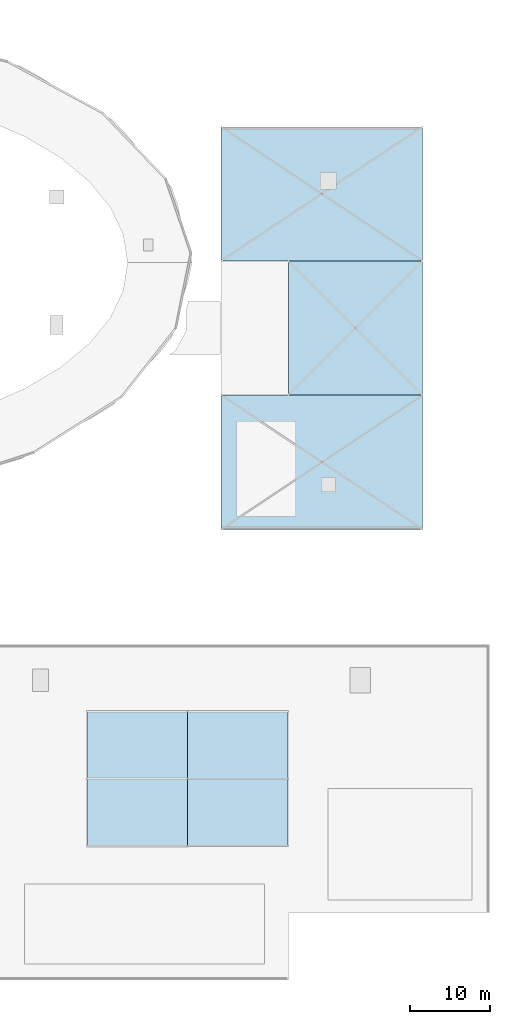
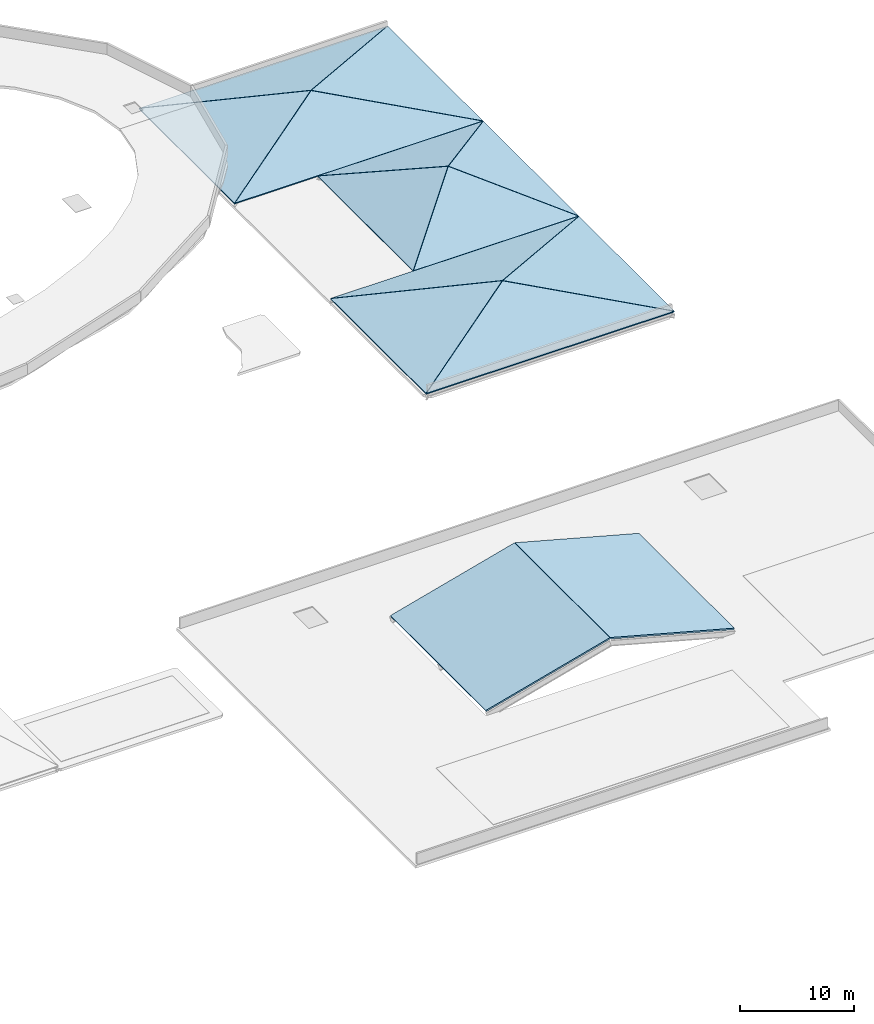
# One storey, part 10 of 11: 4 roofs.
"""IFC4 building model written with IfcOpenShell, lengths in metres."""

from ifc_helpers import new_model, si_unit, direction, frame, origin, place, context, subcontext, project, spatial, polyline, outline, extrude, material, layer, layer_set, type_object, element, save


model = new_model("IFC4")

# Units and contexts
model_context = context("Model", 3, precision=1e-05, world=origin(), true_north=direction((0.0, 1.0)))
body_context = subcontext(model_context, "Body", "Model", "MODEL_VIEW")
ifc_project = project(units=[si_unit("LENGTHUNIT", "METRE"), si_unit("AREAUNIT", "SQUARE_METRE"), si_unit("VOLUMEUNIT", "CUBIC_METRE"), si_unit("PLANEANGLEUNIT", "RADIAN"), si_unit("MASSUNIT", "GRAM", prefix="KILO"), si_unit("THERMODYNAMICTEMPERATUREUNIT", "KELVIN"), si_unit("POWERUNIT", "WATT")], contexts=[model_context])

# Site, building, storey
site_placement = place(None, origin())
site = spatial("IfcSite", under=ifc_project, at=site_placement, CompositionType="ELEMENT")
building_placement = place(site_placement, origin())
building = spatial("IfcBuilding", under=site, at=building_placement, Name="Darbajah Civic Hall", CompositionType="ELEMENT")
storey_placement = place(building_placement, frame((0.0, 0.0, 30.60009765625)))
storey = spatial("IfcBuildingStorey", under=building, at=storey_placement, Name="ROOF", CompositionType="ELEMENT", Elevation=30.60009765625)

# Roofs
ifc_material = material(Name="Steel S355JR", Category="steel")
ifc_layer_1 = layer(ifc_material, 0.14990234375, Name="Steel S355JR")
ifc_layer_set_1 = layer_set([ifc_layer_1], Name="Steel S355JR")
roof_type_1 = type_object("IfcRoofType", Name="Hip Roof 150mm", PredefinedType="HIP_ROOF", material=ifc_layer_set_1)
roof_1_placement = place(storey_placement, origin())
element("IfcRoof", 1, at=roof_1_placement, inside=storey, type_object=roof_type_1, Name="Chhatri Lantern Hip Roof V4-MAIN", PredefinedType="HIP_ROOF", context=body_context, shape_type="SweptSolid", body=[
    extrude(outline(polyline([(0.0, 0.0), (16.743408203125, 0.0), (8.37158203125, 8.948826029039328), (0.0, 0.0)])), frame((153.0283203125, 73.20947265625, -12.196533203125), z_axis=(0.0, -0.356001000052, 0.934485573972), x_axis=(1.0, 0.0, 0.0)), (0.0, 0.0, -1.0), 0.14990234375),
    extrude(outline(polyline([(0.0, 0.0), (16.743408203125, 0.0), (8.371826171875, 8.948826029039328), (0.0, 0.0)])), frame((169.79052734375, 73.228271484375, -12.196533203125), z_axis=(0.356001000052, 0.0, 0.934485573972), x_axis=(0.0, 1.0, 0.0)), (0.0, 0.0, -1.0), 0.14990234375),
    extrude(outline(polyline([(0.0, 0.0), (16.743408203125, 0.0), (8.371826171875, 8.948826029039328), (0.0, 0.0)])), frame((169.771728515625, 89.990478515625, -12.196533203125), z_axis=(0.0, 0.356001000052, 0.934485573972), x_axis=(-1.0, 0.0, 0.0)), (0.0, 0.0, -1.0), 0.14990234375),
    extrude(outline(polyline([(0.0, 0.0), (16.743408203125, 0.0), (8.37158203125, 8.948826029039328), (0.0, 0.0)])), frame((153.009521484375, 89.9716796875, -12.196533203125), z_axis=(-0.356001000052, 0.0, 0.934485573972), x_axis=(0.0, -1.0, 0.0)), (0.0, 0.0, -1.0), 0.14990234375),
])
roof_2_placement = place(storey_placement, origin())
element("IfcRoof", 2, at=roof_2_placement, inside=storey, type_object=roof_type_1, Name="Chhatri Lantern Hip Roof V4-NORTH", PredefinedType="HIP_ROOF", context=body_context, shape_type="SweptSolid", body=[
    extrude(outline(polyline([(0.0, 0.0), (25.1416015625, 0.0), (12.57080078125, 8.756282012494292), (0.0, 0.0)])), frame((144.629150390625, 90.006591796875, -12.197998046875), z_axis=(0.0, -0.295686151317, 0.955285140636), x_axis=(1.0, 0.0, 0.0)), (0.0, 0.0, -1.0), 0.14990234375),
    extrude(outline(polyline([(0.0, 0.0), (16.74658203125, 0.0), (8.373291015625, 12.82166531182386), (0.0, 0.0)])), frame((169.78662109375, 90.026611328125, -12.197265625), z_axis=(0.202084861062, 0.0, 0.979368015064), x_axis=(0.0, 1.0, 0.0)), (0.0, 0.0, -1.0), 0.14990234375),
    extrude(outline(polyline([(0.0, 0.0), (25.1416015625, 0.0), (12.57080078125, 8.756282012494292), (0.0, 0.0)])), frame((169.770751953125, 106.79345703125, -12.197998046875), z_axis=(0.0, 0.295686151317, 0.955285140636), x_axis=(-1.0, 0.0, 0.0)), (0.0, 0.0, -1.0), 0.14990234375),
    extrude(outline(polyline([(0.0, 0.0), (16.74658203125, 0.0), (8.373291015625, 12.821904415438086), (0.0, 0.0)])), frame((144.61328125, 106.773193359375, -12.197265625), z_axis=(-0.202081092572, 0.0, 0.979368792654), x_axis=(0.0, -1.0, 0.0)), (0.0, 0.0, -1.0), 0.14990234375),
])
roof_3_placement = place(storey_placement, origin())
element("IfcRoof", 3, at=roof_3_placement, inside=storey, type_object=roof_type_1, Name="Chhatri Lantern Hip Roof V4-SOUTH", PredefinedType="HIP_ROOF", context=body_context, shape_type="SweptSolid", body=[
    extrude(outline(polyline([(0.0, 0.0), (25.1416015625, 0.0), (12.57080078125, 8.756282012494292), (0.0, 0.0)])), frame((144.629150390625, 56.406494140625, -12.197998046875), z_axis=(0.0, -0.295686151317, 0.955285140636), x_axis=(1.0, 0.0, 0.0)), (0.0, 0.0, -1.0), 0.14990234375),
    extrude(outline(polyline([(0.0, 0.0), (16.74658203125, 0.0), (8.373291015625, 12.82166531182386), (0.0, 0.0)])), frame((169.78662109375, 56.4267578125, -12.197265625), z_axis=(0.202084861062, 0.0, 0.979368015064), x_axis=(0.0, 1.0, 0.0)), (0.0, 0.0, -1.0), 0.14990234375),
    extrude(outline(polyline([(0.0, 0.0), (25.1416015625, 0.0), (12.57080078125, 8.756515236703144), (0.0, 0.0)])), frame((169.770751953125, 73.193603515625, -12.197998046875), z_axis=(0.0, 0.295678275905, 0.95528757825), x_axis=(-1.0, 0.0, 0.0)), (0.0, 0.0, -1.0), 0.14990234375),
    extrude(outline(polyline([(0.0, 0.0), (16.74658203125, 0.0), (8.373291015625, 12.821904415438086), (0.0, 0.0)])), frame((144.61328125, 73.17333984375, -12.197265625), z_axis=(-0.202081092572, 0.0, 0.979368792654), x_axis=(0.0, -1.0, 0.0)), (0.0, 0.0, -1.0), 0.14990234375),
])
ifc_layer_2 = layer(ifc_material, 0.159912109375, Name="Steel S355JR")
ifc_layer_set_2 = layer_set([ifc_layer_2], Name="Steel S355JR")
roof_type_2 = type_object("IfcRoofType", Name="Pavilion Roof 160mm", PredefinedType="PAVILION_ROOF", material=ifc_layer_set_2)
roof_4_placement = place(storey_placement, origin())
element("IfcRoof", 4, at=roof_4_placement, inside=storey, type_object=roof_type_2, Name="Public Hall Pavilion Arch Roof P1", PredefinedType="PAVILION_ROOF", context=body_context, shape_type="SweptSolid", body=[
    extrude(outline(polyline([(0.0, 0.0), (13.013845115950115, 0.0), (13.013845115950115, 16.752685546875), (0.0, 16.752685546875), (0.0, 0.0)])), frame((127.81787109375, 16.82373046875, -16.25537109375), z_axis=(-0.260521070381, 0.0, 0.965468162027), x_axis=(0.965468162027, 0.0, 0.260521070381)), (0.0, 0.0, -1.0), 0.159912109375),
    extrude(outline(polyline([(0.0, 0.0), (13.013845115950115, 0.0), (13.013845115950115, 16.752685546875), (0.0, 16.752685546875), (0.0, 0.0)])), frame((140.417724609375, 16.82373046875, -12.864990234375), z_axis=(0.260521070381, 0.0, 0.965468162027), x_axis=(0.965468162027, 0.0, -0.260521070381)), (0.0, 0.0, -1.0), 0.159912109375),
])

save(model, "model.ifc")
